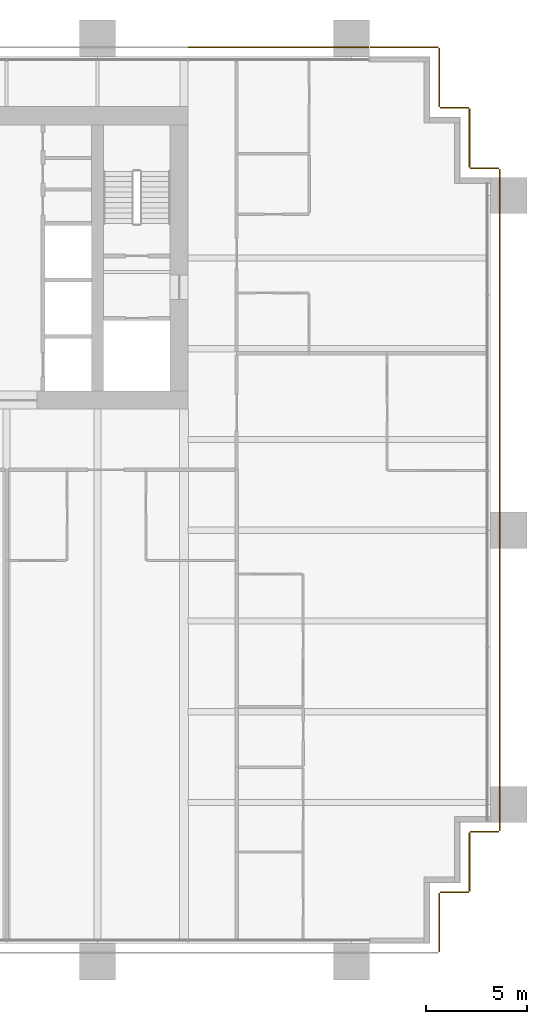
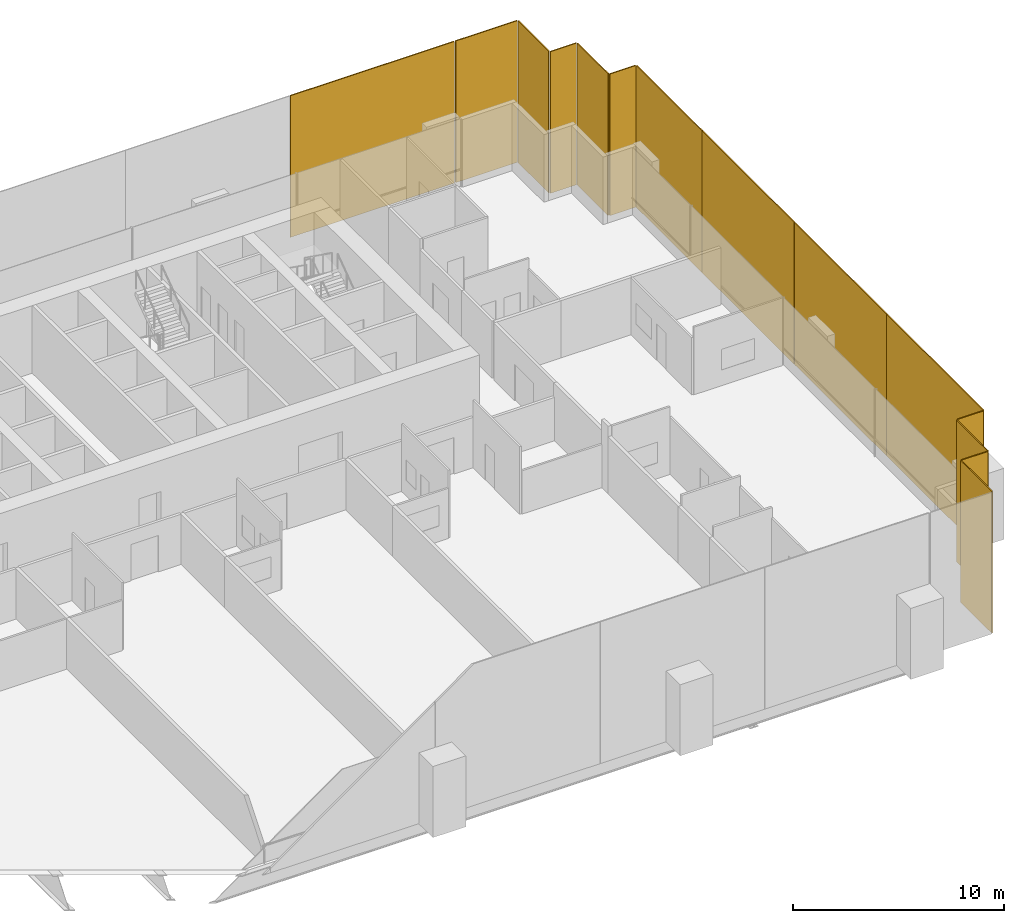
# One storey, part 18 of 18: 14 coverings.
"""IFC4 building model written with IfcOpenShell, lengths in metres."""

from ifc_helpers import new_model, si_unit, direction, frame, origin, origin_2d, place, context, subcontext, project, spatial, rectangle, extrude, material, layer, layer_set, type_object, element, save


model = new_model("IFC4")

# Units and contexts
model_context = context("Model", 3, precision=1e-05, world=origin(), true_north=direction((0.0, 1.0)))
body_context = subcontext(model_context, "Body", "Model", "MODEL_VIEW")
ifc_project = project(units=[si_unit("LENGTHUNIT", "METRE"), si_unit("AREAUNIT", "SQUARE_METRE"), si_unit("VOLUMEUNIT", "CUBIC_METRE"), si_unit("PLANEANGLEUNIT", "RADIAN"), si_unit("MASSUNIT", "GRAM", prefix="KILO")], contexts=[model_context])

# Site, building, storey
site_placement = place(None, origin())
site = spatial("IfcSite", under=ifc_project, at=site_placement, CompositionType="ELEMENT")
building_placement = place(site_placement, origin())
building = spatial("IfcBuilding", under=site, at=building_placement, Name="Rattan Terrace Tower", CompositionType="ELEMENT")
storey_placement = place(building_placement, frame((0.0, 0.0, 32.39990234375)))
storey = spatial("IfcBuildingStorey", under=building, at=storey_placement, Name="L06", CompositionType="ELEMENT", Elevation=32.39990234375)

# Coverings
ifc_material = material(Name="Perforated terracotta", Category="masonry")
ifc_layer = layer(ifc_material, 0.06005859375)
ifc_layer_set = layer_set([ifc_layer], Name="Facade Terracotta Screen Panel")
covering_type = type_object("IfcCoveringType", Name="Facade Terracotta Screen Panel", PredefinedType="CLADDING", material=ifc_layer_set)
covering_1_placement = place(storey_placement, frame((30.449951171875, -32.949951171875, -0.18994140625), z_axis=(0.0, 0.0, 1.0), x_axis=(0.0, 1.0, 0.0)))
element("IfcCovering", 1, at=covering_1_placement, inside=storey, type_object=covering_type, Name="OUTER SKIN panel L06-2", PredefinedType="CLADDING", context=body_context, shape_type="SweptSolid", body=[
    extrude(rectangle(XDim=2.919921875, YDim=0.06005859375, at=origin_2d()), origin(), (0.0, 0.0, 1.0), 8.179931640625),
])
covering_2_placement = place(storey_placement, frame((31.199951171875, -31.449951171875, -0.18994140625), z_axis=(0.0, 0.0, 1.0), x_axis=(1.0, 0.0, 0.0)))
element("IfcCovering", 2, at=covering_2_placement, inside=storey, type_object=covering_type, Name="OUTER SKIN panel L06-3", PredefinedType="CLADDING", context=body_context, shape_type="SweptSolid", body=[
    extrude(rectangle(XDim=1.419921875, YDim=0.06005859375, at=origin_2d()), origin(), (0.0, 0.0, 1.0), 8.179931640625),
])
covering_3_placement = place(storey_placement, frame((31.949951171875, -29.949951171875, -0.18994140625), z_axis=(0.0, 0.0, 1.0), x_axis=(0.0, 1.0, 0.0)))
element("IfcCovering", 3, at=covering_3_placement, inside=storey, type_object=covering_type, Name="OUTER SKIN panel L06-4", PredefinedType="CLADDING", context=body_context, shape_type="SweptSolid", body=[
    extrude(rectangle(XDim=2.919921875, YDim=0.06005859375, at=origin_2d()), origin(), (0.0, 0.0, 1.0), 8.179931640625),
])
covering_4_placement = place(storey_placement, frame((32.699951171875, -28.449951171875, -0.18994140625), z_axis=(0.0, 0.0, 1.0), x_axis=(1.0, 0.0, 0.0)))
element("IfcCovering", 4, at=covering_4_placement, inside=storey, type_object=covering_type, Name="OUTER SKIN panel L06-5", PredefinedType="CLADDING", context=body_context, shape_type="SweptSolid", body=[
    extrude(rectangle(XDim=1.419921875, YDim=0.06005859375, at=origin_2d()), origin(), (0.0, 0.0, 1.0), 8.179931640625),
])
covering_5_placement = place(storey_placement, frame((33.449951171875, -23.846435546875, -0.18994140625), z_axis=(0.0, 0.0, 1.0), x_axis=(0.0, 1.0, 0.0)))
element("IfcCovering", 5, at=covering_5_placement, inside=storey, type_object=covering_type, Name="OUTER SKIN panel L06-6", PredefinedType="CLADDING", context=body_context, shape_type="SweptSolid", body=[
    extrude(rectangle(XDim=9.126953125, YDim=0.06005859375, at=origin_2d()), origin(), (0.0, 0.0, 1.0), 8.179931640625),
])
for number, where, z_axis, x_axis, name in (
    (6, (33.449951171875, -14.909423828125, -0.18994140625), (0.0, 0.0, 1.0), (0.0, 1.0, 0.0), "OUTER SKIN panel L06-7"),
    (7, (33.449951171875, -6.1826171875, -0.18994140625), (0.0, 0.0, 1.0), (0.0, 1.0, 0.0), "OUTER SKIN panel L06-8"),
):
    element("IfcCovering", number, at=place(storey_placement, frame(where, z_axis=z_axis, x_axis=x_axis)), inside=storey, type_object=covering_type, Name=name, PredefinedType="CLADDING", context=body_context, shape_type="SweptSolid", body=[
        extrude(rectangle(XDim=8.70703125, YDim=0.06005859375, at=origin_2d()), origin(), (0.0, 0.0, 1.0), 8.179931640625),
    ])
covering_6_placement = place(storey_placement, frame((33.449951171875, 1.300537109375, -0.18994140625), z_axis=(0.0, 0.0, 1.0), x_axis=(0.0, 1.0, 0.0)))
element("IfcCovering", 8, at=covering_6_placement, inside=storey, type_object=covering_type, Name="OUTER SKIN panel L06-9", PredefinedType="CLADDING", context=body_context, shape_type="SweptSolid", body=[
    extrude(rectangle(XDim=6.218994140625, YDim=0.06005859375, at=origin_2d()), origin(), (0.0, 0.0, 1.0), 8.179931640625),
])
covering_7_placement = place(storey_placement, frame((32.699951171875, 4.449951171875, -0.18994140625), z_axis=(0.0, 0.0, 1.0), x_axis=(-1.0, 0.0, 0.0)))
element("IfcCovering", 9, at=covering_7_placement, inside=storey, type_object=covering_type, Name="OUTER SKIN panel L06-10", PredefinedType="CLADDING", context=body_context, shape_type="SweptSolid", body=[
    extrude(rectangle(XDim=1.419921875, YDim=0.06005859375, at=origin_2d()), origin(), (0.0, 0.0, 1.0), 8.179931640625),
])
covering_8_placement = place(storey_placement, frame((31.949951171875, 5.949951171875, -0.18994140625), z_axis=(0.0, 0.0, 1.0), x_axis=(0.0, 1.0, 0.0)))
element("IfcCovering", 10, at=covering_8_placement, inside=storey, type_object=covering_type, Name="OUTER SKIN panel L06-11", PredefinedType="CLADDING", context=body_context, shape_type="SweptSolid", body=[
    extrude(rectangle(XDim=2.919921875, YDim=0.06005859375, at=origin_2d()), origin(), (0.0, 0.0, 1.0), 8.179931640625),
])
covering_9_placement = place(storey_placement, frame((31.199951171875, 7.449951171875, -0.18994140625), z_axis=(0.0, 0.0, 1.0), x_axis=(-1.0, 0.0, 0.0)))
element("IfcCovering", 11, at=covering_9_placement, inside=storey, type_object=covering_type, Name="OUTER SKIN panel L06-12", PredefinedType="CLADDING", context=body_context, shape_type="SweptSolid", body=[
    extrude(rectangle(XDim=1.419921875, YDim=0.06005859375, at=origin_2d()), origin(), (0.0, 0.0, 1.0), 8.179931640625),
])
covering_10_placement = place(storey_placement, frame((30.449951171875, 8.949951171875, -0.18994140625), z_axis=(0.0, 0.0, 1.0), x_axis=(0.0, 1.0, 0.0)))
element("IfcCovering", 12, at=covering_10_placement, inside=storey, type_object=covering_type, Name="OUTER SKIN panel L06-13", PredefinedType="CLADDING", context=body_context, shape_type="SweptSolid", body=[
    extrude(rectangle(XDim=2.919921875, YDim=0.06005859375, at=origin_2d()), origin(), (0.0, 0.0, 1.0), 8.179931640625),
])
covering_11_placement = place(storey_placement, frame((28.72509765625, 10.449951171875, -0.18994140625), z_axis=(0.0, 0.0, 1.0), x_axis=(-1.0, 0.0, 0.0)))
element("IfcCovering", 13, at=covering_11_placement, inside=storey, type_object=covering_type, Name="OUTER SKIN panel L06-14", PredefinedType="CLADDING", context=body_context, shape_type="SweptSolid", body=[
    extrude(rectangle(XDim=3.3701171875, YDim=0.06005859375, at=origin_2d()), origin(), (0.0, 0.0, 1.0), 8.179931640625),
])
covering_12_placement = place(storey_placement, frame((22.485107421875, 10.449951171875, -0.18994140625), z_axis=(0.0, 0.0, 1.0), x_axis=(-1.0, 0.0, 0.0)))
element("IfcCovering", 14, at=covering_12_placement, inside=storey, type_object=covering_type, Name="OUTER SKIN panel L06-15", PredefinedType="CLADDING", context=body_context, shape_type="SweptSolid", body=[
    extrude(rectangle(XDim=8.949951171875, YDim=0.06005859375, at=origin_2d()), origin(), (0.0, 0.0, 1.0), 8.179931640625),
])

save(model, "model.ifc")
